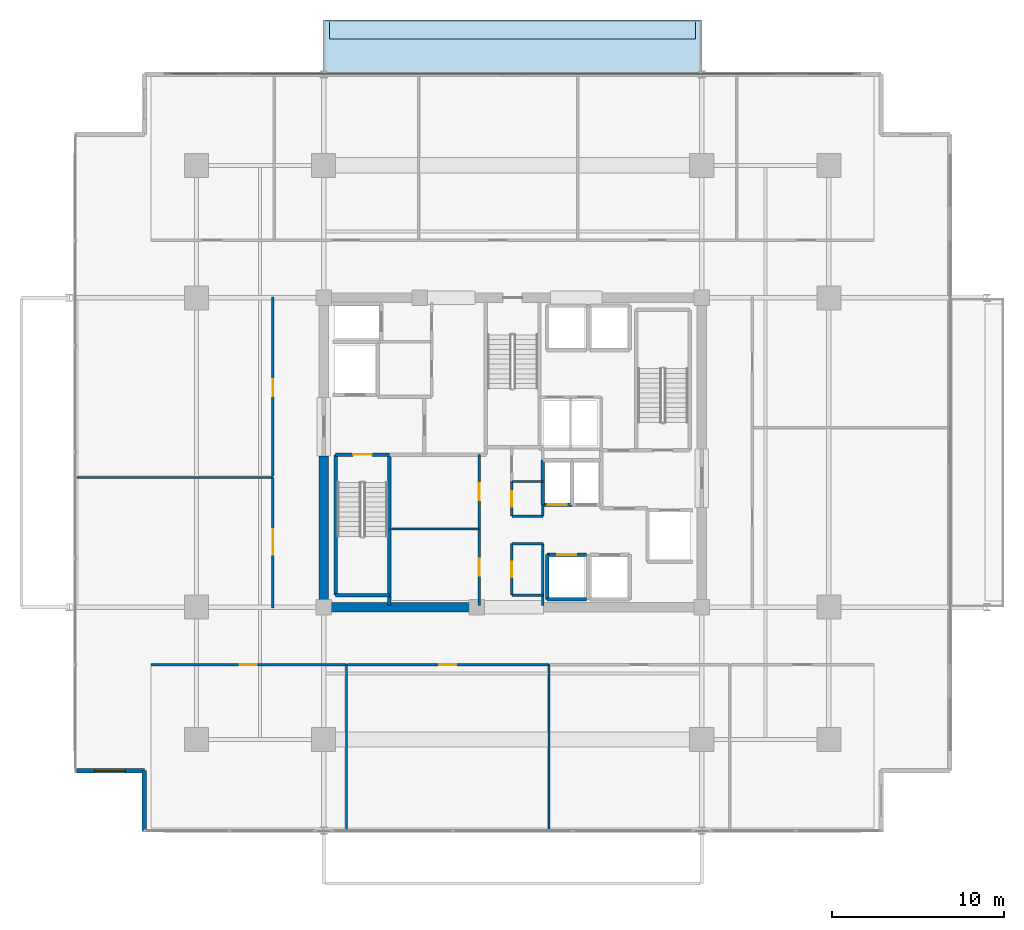
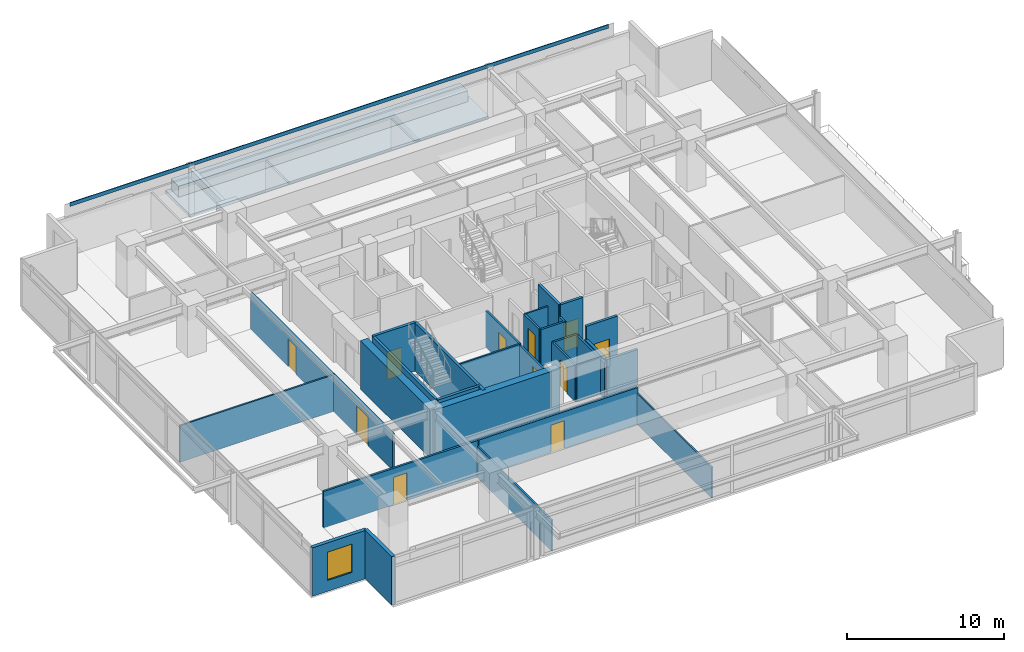
# One storey, part 14 of 21: 31 walls, 11 doors, 2 slabs, 1 plate, 1 window, 12 openings.
"""IFC4 building model written with IfcOpenShell, lengths in metres."""

from ifc_helpers import new_model, si_unit, direction, frame, frame_2d, origin, origin_2d, place, context, subcontext, project, spatial, polyline, rectangle, outline, extrude, material, layer, layer_set, type_object, element, fill, save


model = new_model("IFC4")

# Units and contexts
model_context = context("Model", 3, precision=1e-05, world=origin(), true_north=direction((0.0, 1.0)))
body_context = subcontext(model_context, "Body", "Model", "MODEL_VIEW")
ifc_project = project(units=[si_unit("LENGTHUNIT", "METRE"), si_unit("AREAUNIT", "SQUARE_METRE"), si_unit("VOLUMEUNIT", "CUBIC_METRE"), si_unit("PLANEANGLEUNIT", "RADIAN"), si_unit("MASSUNIT", "GRAM", prefix="KILO")], contexts=[model_context])

# Site, building, storey
site_placement = place(None, origin())
site = spatial("IfcSite", under=ifc_project, at=site_placement, CompositionType="ELEMENT")
building_placement = place(site_placement, origin())
building = spatial("IfcBuilding", under=site, at=building_placement, Name="Kovane Verandah Tower", CompositionType="ELEMENT")
storey_placement = place(building_placement, frame((0.0, 0.0, 217.199951171875)))
storey = spatial("IfcBuildingStorey", under=building, at=storey_placement, Name="L50", CompositionType="ELEMENT", Elevation=217.199951171875)

# Plate
ifc_material_1 = material(Name="Extruded Pale-Bronze Aluminium Aerofoil Sunshade", Category="aluminium")
ifc_layer_1 = layer(ifc_material_1, 0.06005859375)
ifc_layer_set_1 = layer_set([ifc_layer_1], Name="Extruded Pale-Bronze Aluminium Aerofoil Sunshade")
plate_type = type_object("IfcPlateType", Name="PL-SUNSHADE-60", PredefinedType="USERDEFINED", material=ifc_layer_set_1)
plate_placement = place(storey_placement, frame((40.0, 49.5341796875, 3.7548828125), z_axis=(0.0, 0.0, 1.0), x_axis=(-1.0, 0.0, 0.0)))
element("IfcPlate", 1, at=plate_placement, inside=storey, type_object=plate_type, Name="L50 N Subtropical Aerofoil Sunshade", ObjectType="SUNSHADE", PredefinedType="USERDEFINED", context=body_context, shape_type="SweptSolid", body=[
    extrude(rectangle(XDim=39.675048828125, YDim=0.06005859375, at=origin_2d()), origin(), (0.0, 0.0, 1.0), 0.280029296875),
])

# Slabs
ifc_material_2 = material(Name="Concrete C45/55", Category="concrete")
ifc_layer_2 = layer(ifc_material_2, 0.239990234375)
ifc_layer_set_2 = layer_set([ifc_layer_2], Name="Concrete C45/55")
slab_type_1 = type_object("IfcSlabType", Name="SL-BALC-240", PredefinedType="FLOOR", material=ifc_layer_set_2)
slab_1_placement = place(storey_placement, frame((0.0, 0.0, -0.239990234375)))
element("IfcSlab", 2, at=slab_1_placement, inside=storey, type_object=slab_type_1, Name="L50 N Planted Verandah Balcony Slab", PredefinedType="FLOOR", context=body_context, shape_type="SweptSolid", body=[
    extrude(outline(polyline([(29.0, 49.514404296875), (51.0, 49.514404296875), (51.0, 52.664306640625), (29.0, 52.664306640625), (29.0, 49.514404296875)])), origin(), (0.0, 0.0, 1.0), 0.239990234375),
])
ifc_material_3 = material(Name="Architectural Precast Concrete C45/55 Planter Trough", Category="concrete")
ifc_layer_3 = layer(ifc_material_3, 0.219970703125)
ifc_layer_set_3 = layer_set([ifc_layer_3], Name="Architectural Precast Concrete C45/55 Planter Trough")
slab_type_2 = type_object("IfcSlabType", Name="SL-PLANTER-220", PredefinedType="USERDEFINED", material=ifc_layer_set_3)
slab_2_placement = place(storey_placement, origin())
element("IfcSlab", 3, at=slab_2_placement, inside=storey, type_object=slab_type_2, Name="L50 N Structural Tree Planter", ObjectType="PLANTER", PredefinedType="USERDEFINED", context=body_context, shape_type="SweptSolid", body=[
    extrude(outline(polyline([(29.35009765625, 51.564208984375), (50.64990234375, 51.564208984375), (50.64990234375, 52.564208984375), (29.35009765625, 52.564208984375), (29.35009765625, 51.564208984375)])), origin(), (0.0, 0.0, 1.0), 0.85009765625),
])

# Walls
ifc_material_4 = material(Name="Fire-Rated Gypsum Stud Partition", Category="gypsum")
ifc_layer_4 = layer(ifc_material_4, 0.14990234375)
ifc_layer_set_4 = layer_set([ifc_layer_4], Name="Fire-Rated Gypsum Stud Partition")
wall_type_1 = type_object("IfcWallType", Name="WL-COR-150", PredefinedType="PARTITIONING", material=ifc_layer_set_4)
for number, where, z_axis, x_axis, name in (
    (4, (39.949951171875, 19.199951171875, 0.0), (0.0, 0.0, 1.0), (1.0, 0.0, 0.0), "L50 Central Core Strip South Wall"),
    (5, (39.949951171875, 22.199951171875, 0.0), (0.0, 0.0, 1.0), (1.0, 0.0, 0.0), "L50 Core Cross-Passage South Wall"),
    (6, (39.949951171875, 23.800048828125, 0.0), (0.0, 0.0, 1.0), (1.0, 0.0, 0.0), "L50 Core Cross-Passage North Wall"),
):
    element("IfcWall", number, at=place(storey_placement, frame(where, z_axis=z_axis, x_axis=x_axis)), inside=storey, type_object=wall_type_1, Name=name, PredefinedType="PARTITIONING", context=body_context, shape_type="SweptSolid", body=[
        extrude(rectangle(XDim=1.81005859375, YDim=0.14990234375, at=frame_2d((0.905029296875, 0.0))), origin(), (0.0, 0.0, 1.0), 2.85009765625),
    ])
wall_1_placement = place(storey_placement, frame((41.760009765625, 18.60009765625, 0.0), z_axis=(0.0, 0.0, 1.0), x_axis=(0.0, 1.0, 0.0)))
element("IfcWall", 7, at=wall_1_placement, inside=storey, type_object=wall_type_1, Name="L50 Central Core Strip Lower East Wall", PredefinedType="PARTITIONING", context=body_context, shape_type="SweptSolid", body=[
    extrude(rectangle(XDim=3.599853515625, YDim=0.14990234375, at=frame_2d((1.7998046875, 0.0))), origin(), (0.0, 0.0, 1.0), 2.755126953125),
])
wall_2_placement = place(storey_placement, frame((41.760009765625, 23.800048828125, 0.0), z_axis=(0.0, 0.0, 1.0), x_axis=(0.0, 1.0, 0.0)))
element("IfcWall", 8, at=wall_2_placement, inside=storey, type_object=wall_type_1, Name="L50 Central Core Strip Middle East Wall", PredefinedType="PARTITIONING", context=body_context, shape_type="SweptSolid", body=[
    extrude(rectangle(XDim=0.64990234375, YDim=0.14990234375, at=frame_2d((0.324951171875, 0.0))), origin(), (0.0, 0.0, 1.0), 2.85009765625),
])

# Wall, opening, door
wall_3_placement = place(storey_placement, frame((39.949951171875, 19.199951171875, 0.0), z_axis=(0.0, 0.0, 1.0), x_axis=(0.0, 1.0, 0.0)))
wall_3 = element("IfcWall", 9, at=wall_3_placement, inside=storey, type_object=wall_type_1, Name="L50 Male Toilet Partition", PredefinedType="PARTITIONING", context=body_context, shape_type="SweptSolid", body=[
    extrude(rectangle(XDim=3.0, YDim=0.14990234375, at=frame_2d((1.5, 0.0))), origin(), (0.0, 0.0, 1.0), 2.85009765625),
])
opening_1_placement = place(wall_3_placement, frame((1.050048828125, 0.0, 0.0)))
opening_1 = element("IfcOpeningElement", 10, at=opening_1_placement, cuts=wall_3, Name="Opening DR-L50-030", PredefinedType="OPENING", context=body_context, shape_type="SweptSolid", body=[
    extrude(rectangle(XDim=0.89990234375, YDim=2.10009765625, at=frame_2d((0.449951171875, 1.050048828125))), frame((0.0, 0.074951171875, 0.0), z_axis=(0.0, -1.0, 0.0), x_axis=(1.0, 0.0, 0.0)), (0.0, 0.0, 1.0), 0.14990234375),
])
ifc_material_5 = material(Name="Moisture-Resistant Laminate Washroom Door", Category="wood")
door_type_1 = type_object("IfcDoorType", Name="DR-WC-900", OperationType="SINGLE_SWING_LEFT", PredefinedType="DOOR", material=ifc_material_5)
door_1_placement = place(opening_1_placement, origin())
door_1 = element("IfcDoor", 11, at=door_1_placement, inside=storey, type_object=door_type_1, Name="L50 Male Toilet Door", OperationType="SINGLE_SWING_LEFT", OverallHeight=2.10009765625, OverallWidth=0.89990234375, PredefinedType="DOOR", context=body_context, shape_type="SweptSolid", body=[
    extrude(rectangle(XDim=0.89990234375, YDim=2.10009765625, at=frame_2d((0.449951171875, 1.050048828125))), frame((0.0, 0.02490234375, 0.0), z_axis=(0.0, -1.0, 0.0), x_axis=(1.0, 0.0, 0.0)), (0.0, 0.0, 1.0), 0.050048828125),
])
fill(opening_1, door_1)

wall_4_placement = place(storey_placement, frame((39.949951171875, 23.800048828125, 0.0), z_axis=(0.0, 0.0, 1.0), x_axis=(0.0, 1.0, 0.0)))
wall_4 = element("IfcWall", 12, at=wall_4_placement, inside=storey, type_object=wall_type_1, Name="L50 Female Toilet Partition", PredefinedType="PARTITIONING", context=body_context, shape_type="SweptSolid", body=[
    extrude(rectangle(XDim=2.0, YDim=0.14990234375, at=frame_2d((1.0, 0.0))), origin(), (0.0, 0.0, 1.0), 2.85009765625),
])
opening_2_placement = place(wall_4_placement, frame((0.550048828125, 0.0, 0.0)))
opening_2 = element("IfcOpeningElement", 13, at=opening_2_placement, cuts=wall_4, Name="Opening DR-L50-029", PredefinedType="OPENING", context=body_context, shape_type="SweptSolid", body=[
    extrude(rectangle(XDim=0.89990234375, YDim=2.10009765625, at=frame_2d((0.449951171875, 1.050048828125))), frame((0.0, 0.074951171875, 0.0), z_axis=(0.0, -1.0, 0.0), x_axis=(1.0, 0.0, 0.0)), (0.0, 0.0, 1.0), 0.14990234375),
])
door_2_placement = place(opening_2_placement, origin())
door_2 = element("IfcDoor", 14, at=door_2_placement, inside=storey, type_object=door_type_1, Name="L50 Female Toilet Door", OperationType="SINGLE_SWING_RIGHT", OverallHeight=2.10009765625, OverallWidth=0.89990234375, PredefinedType="DOOR", context=body_context, shape_type="SweptSolid", body=[
    extrude(rectangle(XDim=0.89990234375, YDim=2.10009765625, at=frame_2d((0.449951171875, 1.050048828125))), frame((0.0, 0.02490234375, 0.0), z_axis=(0.0, -1.0, 0.0), x_axis=(1.0, 0.0, 0.0)), (0.0, 0.0, 1.0), 0.050048828125),
])
fill(opening_2, door_2)

wall_5_placement = place(storey_placement, frame((38.050048828125, 18.60009765625, 0.0), z_axis=(0.0, 0.0, 1.0), x_axis=(0.0, 1.0, 0.0)))
wall_5 = element("IfcWall", 15, at=wall_5_placement, inside=storey, type_object=wall_type_1, Name="L50 IT Server Room Partition", PredefinedType="PARTITIONING", context=body_context, shape_type="SweptSolid", body=[
    extrude(rectangle(XDim=4.4599609375, YDim=0.14990234375, at=frame_2d((2.22998046875, 0.0))), origin(), (0.0, 0.0, 1.0), 2.755126953125),
])
opening_3_placement = place(wall_5_placement, frame((1.72998046875, 0.0, 0.0)))
opening_3 = element("IfcOpeningElement", 16, at=opening_3_placement, cuts=wall_5, Name="Opening DR-L50-014", PredefinedType="OPENING", context=body_context, shape_type="SweptSolid", body=[
    extrude(rectangle(XDim=1.0, YDim=2.14990234375, at=frame_2d((0.5, 1.074951171875))), frame((0.0, 0.074951171875, 0.0), z_axis=(0.0, -1.0, 0.0), x_axis=(1.0, 0.0, 0.0)), (0.0, 0.0, 1.0), 0.14990234375),
])
ifc_material_6 = material(Name="FSC Spotted-Gum Timber Fire-Rated Office Door", Category="wood")
door_type_2 = type_object("IfcDoorType", Name="DR-OFF-1000", OperationType="SINGLE_SWING_LEFT", PredefinedType="DOOR", material=ifc_material_6)
door_3_placement = place(opening_3_placement, origin())
door_3 = element("IfcDoor", 17, at=door_3_placement, inside=storey, type_object=door_type_2, Name="L50 IT Server Room Door", OperationType="SINGLE_SWING_RIGHT", OverallHeight=2.14990234375, OverallWidth=1.0, PredefinedType="DOOR", context=body_context, shape_type="SweptSolid", body=[
    extrude(rectangle(XDim=1.0, YDim=2.14990234375, at=frame_2d((0.5, 1.074951171875))), frame((0.0, 0.02490234375, 0.0), z_axis=(0.0, -1.0, 0.0), x_axis=(1.0, 0.0, 0.0)), (0.0, 0.0, 1.0), 0.050048828125),
])
fill(opening_3, door_3)

wall_6_placement = place(storey_placement, frame((38.050048828125, 23.06005859375, 0.0), z_axis=(0.0, 0.0, 1.0), x_axis=(0.0, 1.0, 0.0)))
wall_6 = element("IfcWall", 18, at=wall_6_placement, inside=storey, type_object=wall_type_1, Name="L50 Telecom MDF Room Partition", PredefinedType="PARTITIONING", context=body_context, shape_type="SweptSolid", body=[
    extrude(rectangle(XDim=4.31982421875, YDim=0.14990234375, at=frame_2d((2.159912109375, 0.0))), origin(), (0.0, 0.0, 1.0), 2.85009765625),
])
opening_4_placement = place(wall_6_placement, frame((1.659912109375, 0.0, 0.0)))
opening_4 = element("IfcOpeningElement", 19, at=opening_4_placement, cuts=wall_6, Name="Opening DR-L50-015", PredefinedType="OPENING", context=body_context, shape_type="SweptSolid", body=[
    extrude(rectangle(XDim=1.0, YDim=2.14990234375, at=frame_2d((0.5, 1.074951171875))), frame((0.0, 0.074951171875, 0.0), z_axis=(0.0, -1.0, 0.0), x_axis=(1.0, 0.0, 0.0)), (0.0, 0.0, 1.0), 0.14990234375),
])
door_4_placement = place(opening_4_placement, origin())
door_4 = element("IfcDoor", 20, at=door_4_placement, inside=storey, type_object=door_type_2, Name="L50 Telecom MDF Room Door", OperationType="SINGLE_SWING_LEFT", OverallHeight=2.14990234375, OverallWidth=1.0, PredefinedType="DOOR", context=body_context, shape_type="SweptSolid", body=[
    extrude(rectangle(XDim=1.0, YDim=2.14990234375, at=frame_2d((0.5, 1.074951171875))), frame((0.0, 0.02490234375, 0.0), z_axis=(0.0, -1.0, 0.0), x_axis=(1.0, 0.0, 0.0)), (0.0, 0.0, 1.0), 0.050048828125),
])
fill(opening_4, door_4)

wall_7_placement = place(storey_placement, frame((18.962646484375, 15.14990234375, 0.0), z_axis=(0.0, 0.0, 1.0), x_axis=(1.0, 0.0, 0.0)))
wall_7 = element("IfcWall", 21, at=wall_7_placement, inside=storey, type_object=wall_type_1, Name="L50 Collaboration Hub S1 Corridor Partition", PredefinedType="PARTITIONING", context=body_context, shape_type="SweptSolid", body=[
    extrude(rectangle(XDim=11.360107421875, YDim=0.14990234375, at=frame_2d((5.68017578125, 0.0))), origin(), (0.0, 0.0, 1.0), 2.85009765625),
])
opening_5_placement = place(wall_7_placement, frame((5.14501953125, 0.0, 0.0)))
opening_5 = element("IfcOpeningElement", 22, at=opening_5_placement, cuts=wall_7, Name="Opening DR-L50-023", PredefinedType="OPENING", context=body_context, shape_type="SweptSolid", body=[
    extrude(rectangle(XDim=1.0, YDim=2.14990234375, at=frame_2d((0.5, 1.074951171875))), frame((0.0, 0.074951171875, 0.0), z_axis=(0.0, -1.0, 0.0), x_axis=(1.0, 0.0, 0.0)), (0.0, 0.0, 1.0), 0.14990234375),
])
door_5_placement = place(opening_5_placement, origin())
door_5 = element("IfcDoor", 23, at=door_5_placement, inside=storey, type_object=door_type_2, Name="L50 Collaboration Hub S1 Entrance Door", OperationType="SINGLE_SWING_LEFT", OverallHeight=2.14990234375, OverallWidth=1.0, PredefinedType="DOOR", context=body_context, shape_type="SweptSolid", body=[
    extrude(rectangle(XDim=1.0, YDim=2.14990234375, at=frame_2d((0.5, 1.074951171875))), frame((0.0, 0.02490234375, 0.0), z_axis=(0.0, -1.0, 0.0), x_axis=(1.0, 0.0, 0.0)), (0.0, 0.0, 1.0), 0.050048828125),
])
fill(opening_5, door_5)

wall_8_placement = place(storey_placement, frame((30.392822265625, 15.14990234375, 0.0), z_axis=(0.0, 0.0, 1.0), x_axis=(1.0, 0.0, 0.0)))
wall_8 = element("IfcWall", 24, at=wall_8_placement, inside=storey, type_object=wall_type_1, Name="L50 Document and Print Room S2 Corridor Partition", PredefinedType="PARTITIONING", context=body_context, shape_type="SweptSolid", body=[
    extrude(rectangle(XDim=11.7109375, YDim=0.14990234375, at=frame_2d((5.85546875, 0.0))), origin(), (0.0, 0.0, 1.0), 2.85009765625),
])
opening_6_placement = place(wall_8_placement, frame((5.320556640625, 0.0, 0.0)))
opening_6 = element("IfcOpeningElement", 25, at=opening_6_placement, cuts=wall_8, Name="Opening DR-L50-024", PredefinedType="OPENING", context=body_context, shape_type="SweptSolid", body=[
    extrude(rectangle(XDim=1.0, YDim=2.14990234375, at=frame_2d((0.5, 1.074951171875))), frame((0.0, 0.074951171875, 0.0), z_axis=(0.0, -1.0, 0.0), x_axis=(1.0, 0.0, 0.0)), (0.0, 0.0, 1.0), 0.14990234375),
])
door_6_placement = place(opening_6_placement, origin())
door_6 = element("IfcDoor", 26, at=door_6_placement, inside=storey, type_object=door_type_2, Name="L50 Document and Print Room S2 Entrance Door", OperationType="SINGLE_SWING_RIGHT", OverallHeight=2.14990234375, OverallWidth=1.0, PredefinedType="DOOR", context=body_context, shape_type="SweptSolid", body=[
    extrude(rectangle(XDim=1.0, YDim=2.14990234375, at=frame_2d((0.5, 1.074951171875))), frame((0.0, 0.02490234375, 0.0), z_axis=(0.0, -1.0, 0.0), x_axis=(1.0, 0.0, 0.0)), (0.0, 0.0, 1.0), 0.050048828125),
])
fill(opening_6, door_6)

wall_9_placement = place(storey_placement, frame((26.050048828125, 18.449951171875, 0.0), z_axis=(0.0, 0.0, 1.0), x_axis=(0.0, 1.0, 0.0)))
wall_9 = element("IfcWall", 27, at=wall_9_placement, inside=storey, type_object=wall_type_1, Name="L50 Client Boardroom W1 Corridor Partition", PredefinedType="PARTITIONING", context=body_context, shape_type="SweptSolid", body=[
    extrude(rectangle(XDim=7.60205078125, YDim=0.14990234375, at=frame_2d((3.801025390625, 0.0))), origin(), (0.0, 0.0, 1.0), 2.85009765625),
])
opening_7_placement = place(wall_9_placement, frame((3.091064453125, 0.0, 0.0)))
opening_7 = element("IfcOpeningElement", 28, at=opening_7_placement, cuts=wall_9, Name="Opening DR-L50-031", PredefinedType="OPENING", context=body_context, shape_type="SweptSolid", body=[
    extrude(rectangle(XDim=1.5, YDim=2.25, at=frame_2d((0.75, 1.125))), frame((0.0, 0.074951171875, 0.0), z_axis=(0.0, -1.0, 0.0), x_axis=(1.0, 0.0, 0.0)), (0.0, 0.0, 1.0), 0.14990234375),
])
ifc_material_7 = material(Name="Glazed Timber Fire-Rated Double Door", Category="wood")
door_type_3 = type_object("IfcDoorType", Name="DR-CONF-1500", OperationType="DOUBLE_DOOR_SINGLE_SWING", PredefinedType="DOOR", material=ifc_material_7)
door_7_placement = place(opening_7_placement, origin())
door_7 = element("IfcDoor", 29, at=door_7_placement, inside=storey, type_object=door_type_3, Name="L50 Client Boardroom W1 Entrance Door", OperationType="DOUBLE_DOOR_SINGLE_SWING", OverallHeight=2.25, OverallWidth=1.5, PredefinedType="DOOR", context=body_context, shape_type="SweptSolid", body=[
    extrude(rectangle(XDim=1.5, YDim=2.25, at=frame_2d((0.75, 1.125))), frame((0.0, 0.02490234375, 0.0), z_axis=(0.0, -1.0, 0.0), x_axis=(1.0, 0.0, 0.0)), (0.0, 0.0, 1.0), 0.050048828125),
])
fill(opening_7, door_7)

wall_10_placement = place(storey_placement, frame((26.050048828125, 26.1220703125, 0.0), z_axis=(0.0, 0.0, 1.0), x_axis=(0.0, 1.0, 0.0)))
wall_10 = element("IfcWall", 30, at=wall_10_placement, inside=storey, type_object=wall_type_1, Name="L50 Meeting Room W2 Corridor Partition", PredefinedType="PARTITIONING", context=body_context, shape_type="SweptSolid", body=[
    extrude(rectangle(XDim=10.427978515625, YDim=0.14990234375, at=frame_2d((5.2138671875, 0.0))), origin(), (0.0, 0.0, 1.0), 2.85009765625),
])
opening_8_placement = place(wall_10_placement, frame((4.638916015625, 0.0, 0.0)))
opening_8 = element("IfcOpeningElement", 31, at=opening_8_placement, cuts=wall_10, Name="Opening DR-L50-032", PredefinedType="OPENING", context=body_context, shape_type="SweptSolid", body=[
    extrude(rectangle(XDim=1.0, YDim=2.14990234375, at=frame_2d((0.5, 1.074951171875))), frame((0.0, 0.074951171875, 0.0), z_axis=(0.0, -1.0, 0.0), x_axis=(1.0, 0.0, 0.0)), (0.0, 0.0, 1.0), 0.14990234375),
])
door_8_placement = place(opening_8_placement, origin())
door_8 = element("IfcDoor", 32, at=door_8_placement, inside=storey, type_object=door_type_2, Name="L50 Meeting Room W2 Entrance Door", OperationType="SINGLE_SWING_RIGHT", OverallHeight=2.14990234375, OverallWidth=1.0, PredefinedType="DOOR", context=body_context, shape_type="SweptSolid", body=[
    extrude(rectangle(XDim=1.0, YDim=2.14990234375, at=frame_2d((0.5, 1.074951171875))), frame((0.0, 0.02490234375, 0.0), z_axis=(0.0, -1.0, 0.0), x_axis=(1.0, 0.0, 0.0)), (0.0, 0.0, 1.0), 0.050048828125),
])
fill(opening_8, door_8)

# Walls
ifc_material_8 = material(Name="Concrete C60/75", Category="concrete")
ifc_layer_5 = layer(ifc_material_8, 0.550048828125)
ifc_layer_set_5 = layer_set([ifc_layer_5], Name="Concrete C60/75")
wall_type_2 = type_object("IfcWallType", Name="WL-CORE-550", PredefinedType="SHEAR", material=ifc_layer_set_5)
wall_11_placement = place(storey_placement, frame((29.0, 18.5, 0.0), z_axis=(0.0, 0.0, 1.0), x_axis=(1.0, 0.0, 0.0)))
element("IfcWall", 33, at=wall_11_placement, inside=storey, type_object=wall_type_2, Name="L50 Core Shear Wall CS-1", PredefinedType="SHEAR", context=body_context, shape_type="SweptSolid", body=[
    extrude(rectangle(XDim=9.199951171875, YDim=0.550048828125, at=frame_2d((4.60009765625, 0.0))), origin(), (0.0, 0.0, 1.0), 3.775146484375),
])
wall_12_placement = place(storey_placement, frame((29.0, 18.5, 0.0), z_axis=(0.0, 0.0, 1.0), x_axis=(0.0, 1.0, 0.0)))
element("IfcWall", 34, at=wall_12_placement, inside=storey, type_object=wall_type_2, Name="L50 Core Shear Wall CW-1", PredefinedType="SHEAR", context=body_context, shape_type="SweptSolid", body=[
    extrude(rectangle(XDim=8.800048828125, YDim=0.550048828125, at=frame_2d((4.39990234375, 0.0))), origin(), (0.0, 0.0, 1.0), 3.775146484375),
])
ifc_material_9 = material(Name="Concrete C45/55 Lift Shaft Wall", Category="concrete")
ifc_layer_6 = layer(ifc_material_9, 0.199951171875)
ifc_layer_set_6 = layer_set([ifc_layer_6], Name="Concrete C45/55 Lift Shaft Wall")
wall_type_3 = type_object("IfcWallType", Name="WL-LIFT-200", PredefinedType="SOLIDWALL", material=ifc_layer_set_6)
wall_13_placement = place(storey_placement, frame((42.0, 18.949951171875, 0.0), z_axis=(0.0, 0.0, 1.0), x_axis=(1.0, 0.0, 0.0)))
element("IfcWall", 35, at=wall_13_placement, inside=storey, type_object=wall_type_3, Name="L50 Lift PL-M1 S Shaft Wall", PredefinedType="SOLIDWALL", context=body_context, shape_type="SweptSolid", body=[
    extrude(rectangle(XDim=2.300048828125, YDim=0.199951171875, at=frame_2d((1.14990234375, 0.0))), origin(), (0.0, 0.0, 1.0), 2.755126953125),
])

# Wall, opening, door
wall_14_placement = place(storey_placement, frame((44.300048828125, 21.550048828125, 0.0), z_axis=(0.0, 0.0, 1.0), x_axis=(-1.0, 0.0, 0.0)))
wall_14 = element("IfcWall", 36, at=wall_14_placement, inside=storey, type_object=wall_type_3, Name="L50 Lift PL-M1 N Shaft Wall", PredefinedType="SOLIDWALL", context=body_context, shape_type="SweptSolid", body=[
    extrude(rectangle(XDim=2.300048828125, YDim=0.199951171875, at=frame_2d((1.14990234375, 0.0))), origin(), (0.0, 0.0, 1.0), 3.775146484375),
])
opening_9_placement = place(wall_14_placement, frame((0.60009765625, 0.0, 0.0)))
opening_9 = element("IfcOpeningElement", 37, at=opening_9_placement, cuts=wall_14, Name="Opening LD-L50-004", PredefinedType="OPENING", context=body_context, shape_type="SweptSolid", body=[
    extrude(rectangle(XDim=1.10009765625, YDim=2.199951171875, at=frame_2d((0.550048828125, 1.10009765625))), frame((0.0, 0.10009765625, 0.0), z_axis=(0.0, -1.0, 0.0), x_axis=(1.0, 0.0, 0.0)), (0.0, 0.0, 1.0), 0.199951171875),
])
ifc_material_10 = material(Name="Brushed Stainless Steel Sliding Lift Landing Door", Category="steel")
door_type_4 = type_object("IfcDoorType", Name="DR-LIFT-1100", OperationType="SLIDING_TO_RIGHT", PredefinedType="DOOR", material=ifc_material_10)
door_9_placement = place(opening_9_placement, origin())
door_9 = element("IfcDoor", 38, at=door_9_placement, inside=storey, type_object=door_type_4, Name="L50 Lift PL-M1 Sliding Landing Door", OperationType="SLIDING_TO_RIGHT", OverallHeight=2.199951171875, OverallWidth=1.10009765625, PredefinedType="DOOR", context=body_context, shape_type="SweptSolid", body=[
    extrude(rectangle(XDim=1.10009765625, YDim=2.199951171875, at=frame_2d((0.550048828125, 1.10009765625))), frame((0.0, 0.02490234375, 0.0), z_axis=(0.0, -1.0, 0.0), x_axis=(1.0, 0.0, 0.0)), (0.0, 0.0, 1.0), 0.050048828125),
])
fill(opening_9, door_9)

# Wall
wall_15_placement = place(storey_placement, frame((42.0, 21.550048828125, 0.0), z_axis=(0.0, 0.0, 1.0), x_axis=(0.0, -1.0, 0.0)))
element("IfcWall", 39, at=wall_15_placement, inside=storey, type_object=wall_type_3, Name="L50 Lift PL-M1 W Shaft Wall", PredefinedType="SOLIDWALL", context=body_context, shape_type="SweptSolid", body=[
    extrude(rectangle(XDim=2.60009765625, YDim=0.199951171875, at=frame_2d((1.300048828125, 0.0))), origin(), (0.0, 0.0, 1.0), 2.755126953125),
])

# Wall, opening, door
wall_16_placement = place(storey_placement, frame((41.760009765625, 24.449951171875, 0.0), z_axis=(0.0, 0.0, 1.0), x_axis=(1.0, 0.0, 0.0)))
wall_16 = element("IfcWall", 40, at=wall_16_placement, inside=storey, type_object=wall_type_3, Name="L50 Lift PL-M3 S Shaft Wall", PredefinedType="SOLIDWALL", context=body_context, shape_type="SweptSolid", body=[
    extrude(rectangle(XDim=1.679931640625, YDim=0.199951171875, at=frame_2d((0.83984375, 0.0))), origin(), (0.0, 0.0, 1.0), 3.775146484375),
])
opening_10_placement = place(wall_16_placement, frame((0.2900390625, 0.0, 0.0)))
opening_10 = element("IfcOpeningElement", 41, at=opening_10_placement, cuts=wall_16, Name="Opening LD-L50-006", PredefinedType="OPENING", context=body_context, shape_type="SweptSolid", body=[
    extrude(rectangle(XDim=1.10009765625, YDim=2.199951171875, at=frame_2d((0.550048828125, 1.10009765625))), frame((0.0, 0.10009765625, 0.0), z_axis=(0.0, -1.0, 0.0), x_axis=(1.0, 0.0, 0.0)), (0.0, 0.0, 1.0), 0.199951171875),
])
door_10_placement = place(opening_10_placement, origin())
door_10 = element("IfcDoor", 42, at=door_10_placement, inside=storey, type_object=door_type_4, Name="L50 Lift PL-M3 Sliding Landing Door", OperationType="SLIDING_TO_RIGHT", OverallHeight=2.199951171875, OverallWidth=1.10009765625, PredefinedType="DOOR", context=body_context, shape_type="SweptSolid", body=[
    extrude(rectangle(XDim=1.10009765625, YDim=2.199951171875, at=frame_2d((0.550048828125, 1.10009765625))), frame((0.0, 0.02490234375, 0.0), z_axis=(0.0, -1.0, 0.0), x_axis=(1.0, 0.0, 0.0)), (0.0, 0.0, 1.0), 0.050048828125),
])
fill(opening_10, door_10)

# Walls
wall_17_placement = place(storey_placement, frame((41.760009765625, 27.050048828125, 0.0), z_axis=(0.0, 0.0, 1.0), x_axis=(0.0, -1.0, 0.0)))
element("IfcWall", 43, at=wall_17_placement, inside=storey, type_object=wall_type_3, Name="L50 Lift PL-M3 W Shaft Wall", PredefinedType="SOLIDWALL", context=body_context, shape_type="SweptSolid", body=[
    extrude(rectangle(XDim=2.60009765625, YDim=0.199951171875, at=frame_2d((1.300048828125, 0.0))), origin(), (0.0, 0.0, 1.0), 3.775146484375),
])
ifc_material_11 = material(Name="Acoustic Fire-Rated Gypsum Partition", Category="gypsum")
ifc_layer_7 = layer(ifc_material_11, 0.1201171875)
ifc_layer_set_7 = layer_set([ifc_layer_7], Name="Acoustic Fire-Rated Gypsum Partition")
wall_type_4 = type_object("IfcWallType", Name="WL-PART-120", PredefinedType="PARTITIONING", material=ifc_layer_set_7)
wall_18_placement = place(storey_placement, frame((39.949951171875, 25.800048828125, 0.0), z_axis=(0.0, 0.0, 1.0), x_axis=(1.0, 0.0, 0.0)))
element("IfcWall", 44, at=wall_18_placement, inside=storey, type_object=wall_type_4, Name="L50 Central Core Strip Upper Dividing Partition", PredefinedType="PARTITIONING", context=body_context, shape_type="SweptSolid", body=[
    extrude(rectangle(XDim=1.81005859375, YDim=0.1201171875, at=frame_2d((0.905029296875, 0.0))), origin(), (0.0, 0.0, 1.0), 2.85009765625),
])
wall_19_placement = place(storey_placement, frame((32.820068359375, 23.06005859375, 0.0), z_axis=(0.0, 0.0, 1.0), x_axis=(1.0, 0.0, 0.0)))
element("IfcWall", 45, at=wall_19_placement, inside=storey, type_object=wall_type_4, Name="L50 Core Support Dividing Partition", PredefinedType="PARTITIONING", context=body_context, shape_type="SweptSolid", body=[
    extrude(rectangle(XDim=5.22998046875, YDim=0.1201171875, at=frame_2d((2.614990234375, 0.0))), origin(), (0.0, 0.0, 1.0), 2.85009765625),
])
for number, where, z_axis, x_axis, name in (
    (46, (30.32275390625, 5.585693359375, 0.0), (0.0, 0.0, 1.0), (0.0, 1.0, 0.0), "L50 Collaboration Hub S1 Dividing Partition"),
    (47, (42.103759765625, 5.585693359375, 0.0), (0.0, 0.0, 1.0), (0.0, 1.0, 0.0), "L50 Document and Print Room S2 Dividing Partition"),
):
    element("IfcWall", number, at=place(storey_placement, frame(where, z_axis=z_axis, x_axis=x_axis)), inside=storey, type_object=wall_type_4, Name=name, PredefinedType="PARTITIONING", context=body_context, shape_type="SweptSolid", body=[
        extrude(rectangle(XDim=9.564208984375, YDim=0.1201171875, at=frame_2d((4.7822265625, 0.0))), origin(), (0.0, 0.0, 1.0), 2.405029296875),
    ])
wall_20_placement = place(storey_placement, frame((14.66259765625, 26.052001953125, 0.0), z_axis=(0.0, 0.0, 1.0), x_axis=(1.0, 0.0, 0.0)))
element("IfcWall", 48, at=wall_20_placement, inside=storey, type_object=wall_type_4, Name="L50 Client Boardroom W1 Dividing Partition", PredefinedType="PARTITIONING", context=body_context, shape_type="SweptSolid", body=[
    extrude(rectangle(XDim=11.387451171875, YDim=0.1201171875, at=frame_2d((5.69384765625, 0.0))), origin(), (0.0, 0.0, 1.0), 2.85009765625),
])
ifc_layer_8 = layer(ifc_material_2, 0.199951171875)
ifc_layer_set_8 = layer_set([ifc_layer_8], Name="Concrete C45/55")
wall_type_5 = type_object("IfcWallType", Name="WL-SHAFT-200", PredefinedType="SOLIDWALL", material=ifc_layer_set_8)
wall_21_placement = place(storey_placement, frame((29.699951171875, 19.199951171875, 0.0), z_axis=(0.0, 0.0, 1.0), x_axis=(0.0, 1.0, 0.0)))
element("IfcWall", 49, at=wall_21_placement, inside=storey, type_object=wall_type_5, Name="W-L50-ST01-W", PredefinedType="SOLIDWALL", context=body_context, shape_type="SweptSolid", body=[
    extrude(rectangle(XDim=8.150146484375, YDim=0.199951171875, at=frame_2d((4.0751953125, 0.0))), origin(), (0.0, 0.0, 1.0), 3.775146484375),
])
wall_22_placement = place(storey_placement, frame((29.699951171875, 19.199951171875, 0.0), z_axis=(0.0, 0.0, 1.0), x_axis=(1.0, 0.0, 0.0)))
element("IfcWall", 50, at=wall_22_placement, inside=storey, type_object=wall_type_5, Name="W-L50-ST01-S", PredefinedType="SOLIDWALL", context=body_context, shape_type="SweptSolid", body=[
    extrude(rectangle(XDim=3.1201171875, YDim=0.199951171875, at=frame_2d((1.56005859375, 0.0))), origin(), (0.0, 0.0, 1.0), 3.775146484375),
])
wall_23_placement = place(storey_placement, frame((32.820068359375, 18.60009765625, 0.0), z_axis=(0.0, 0.0, 1.0), x_axis=(0.0, 1.0, 0.0)))
element("IfcWall", 51, at=wall_23_placement, inside=storey, type_object=wall_type_5, Name="W-L50-ST01-E", PredefinedType="SOLIDWALL", context=body_context, shape_type="SweptSolid", body=[
    extrude(rectangle(XDim=8.77978515625, YDim=0.199951171875, at=frame_2d((4.389892578125, 0.0))), origin(), (0.0, 0.0, 1.0), 3.775146484375),
])

# Wall, opening, door
wall_24_placement = place(storey_placement, frame((29.699951171875, 27.3798828125, 0.0), z_axis=(0.0, 0.0, 1.0), x_axis=(1.0, 0.0, 0.0)))
wall_24 = element("IfcWall", 52, at=wall_24_placement, inside=storey, type_object=wall_type_5, Name="W-L50-ST01-N", PredefinedType="SOLIDWALL", context=body_context, shape_type="SweptSolid", body=[
    extrude(rectangle(XDim=3.1201171875, YDim=0.199951171875, at=frame_2d((1.56005859375, 0.0))), origin(), (0.0, 0.0, 1.0), 3.775146484375),
])
opening_11_placement = place(wall_24_placement, frame((1.010009765625, 0.0, 0.0)))
opening_11 = element("IfcOpeningElement", 53, at=opening_11_placement, cuts=wall_24, Name="Opening DR-L50-009", PredefinedType="OPENING", context=body_context, shape_type="SweptSolid", body=[
    extrude(rectangle(XDim=1.10009765625, YDim=2.14990234375, at=frame_2d((0.550048828125, 1.074951171875))), frame((0.0, 0.10009765625, 0.0), z_axis=(0.0, -1.0, 0.0), x_axis=(1.0, 0.0, 0.0)), (0.0, 0.0, 1.0), 0.199951171875),
])
ifc_material_12 = material(Name="Fire-Rated Steel Exit Door", Category="steel")
door_type_5 = type_object("IfcDoorType", Name="DR-STAIR-1100", OperationType="SINGLE_SWING_LEFT", PredefinedType="DOOR", material=ifc_material_12)
door_11_placement = place(opening_11_placement, origin())
door_11 = element("IfcDoor", 54, at=door_11_placement, inside=storey, type_object=door_type_5, Name="L50 ST-01 Fire Exit Stair Door", OperationType="SINGLE_SWING_RIGHT", OverallHeight=2.14990234375, OverallWidth=1.10009765625, PredefinedType="DOOR", context=body_context, shape_type="SweptSolid", body=[
    extrude(rectangle(XDim=1.10009765625, YDim=2.14990234375, at=frame_2d((0.550048828125, 1.074951171875))), frame((0.0, 0.02490234375, 0.0), z_axis=(0.0, -1.0, 0.0), x_axis=(1.0, 0.0, 0.0)), (0.0, 0.0, 1.0), 0.050048828125),
])
fill(opening_11, door_11)

# Wall, opening, window
ifc_material_13 = material(Name="Concrete C45/55 Insulated Spandrel Wall", Category="concrete")
ifc_layer_9 = layer(ifc_material_13, 0.260009765625)
ifc_layer_set_9 = layer_set([ifc_layer_9], Name="Concrete C45/55 Insulated Spandrel Wall")
wall_type_6 = type_object("IfcWallType", Name="WL-SPANDREL-260", PredefinedType="PARAPET", material=ifc_layer_set_9)
wall_25_placement = place(storey_placement, frame((14.5625, 8.985595703125, 0.0), z_axis=(0.0, 0.0, 1.0), x_axis=(1.0, 0.0, 0.0)))
wall_25 = element("IfcWall", 55, at=wall_25_placement, inside=storey, type_object=wall_type_6, Name="L50 SW Notch Cheek Wall 1", PredefinedType="PARAPET", context=body_context, shape_type="SweptSolid", body=[
    extrude(rectangle(XDim=4.0, YDim=0.260009765625, at=frame_2d((2.0, 0.0))), origin(), (0.0, 0.0, 1.0), 3.775146484375),
])
opening_12_placement = place(wall_25_placement, frame((1.10009765625, 0.0, 0.85009765625)))
opening_12 = element("IfcOpeningElement", 56, at=opening_12_placement, cuts=wall_25, Name="Opening W-03", PredefinedType="OPENING", context=body_context, shape_type="SweptSolid", body=[
    extrude(rectangle(XDim=1.800048828125, YDim=2.199951171875, at=frame_2d((0.89990234375, 1.10009765625))), frame((0.0, 0.1298828125, 0.0), z_axis=(0.0, -1.0, 0.0), x_axis=(1.0, 0.0, 0.0)), (0.0, 0.0, 1.0), 0.260009765625),
])
ifc_material_14 = material(Name="Clear Low-E Laminated Double Glazing in Anodised Frame", Category="glass")
window_type = type_object("IfcWindowType", Name="WN-NOTCH-1800x2200", PartitioningType="SINGLE_PANEL", PredefinedType="WINDOW", material=ifc_material_14)
window_placement = place(opening_12_placement, origin())
window = element("IfcWindow", 57, at=window_placement, inside=storey, type_object=window_type, Name="L50 SW Re-Entrant Corner Operable Window", OverallHeight=2.199951171875, OverallWidth=1.800048828125, PartitioningType="SINGLE_PANEL", PredefinedType="WINDOW", context=body_context, shape_type="SweptSolid", body=[
    extrude(rectangle(XDim=1.800048828125, YDim=2.199951171875, at=frame_2d((0.89990234375, 1.10009765625))), frame((0.0, 0.030029296875, 0.0), z_axis=(0.0, -1.0, 0.0), x_axis=(1.0, 0.0, 0.0)), (0.0, 0.0, 1.0), 0.06005859375),
])
fill(opening_12, window)

# Wall
wall_26_placement = place(storey_placement, frame((18.5625, 8.985595703125, 0.0), z_axis=(0.0, 0.0, 1.0), x_axis=(0.0, -1.0, 0.0)))
element("IfcWall", 58, at=wall_26_placement, inside=storey, type_object=wall_type_6, Name="L50 SW Notch Cheek Wall 2", PredefinedType="PARAPET", context=body_context, shape_type="SweptSolid", body=[
    extrude(rectangle(XDim=3.5, YDim=0.260009765625, at=frame_2d((1.75, 0.0))), origin(), (0.0, 0.0, 1.0), 3.775146484375),
])

save(model, "model.ifc")
